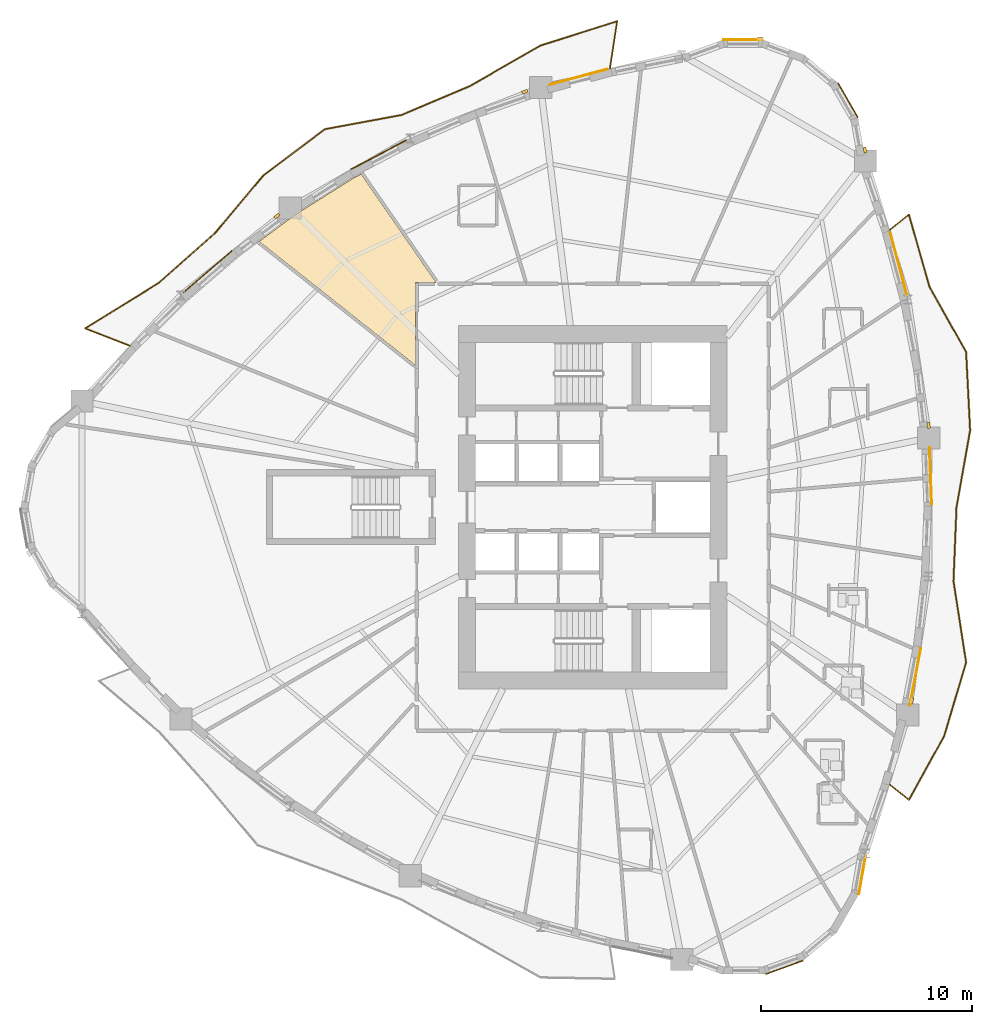
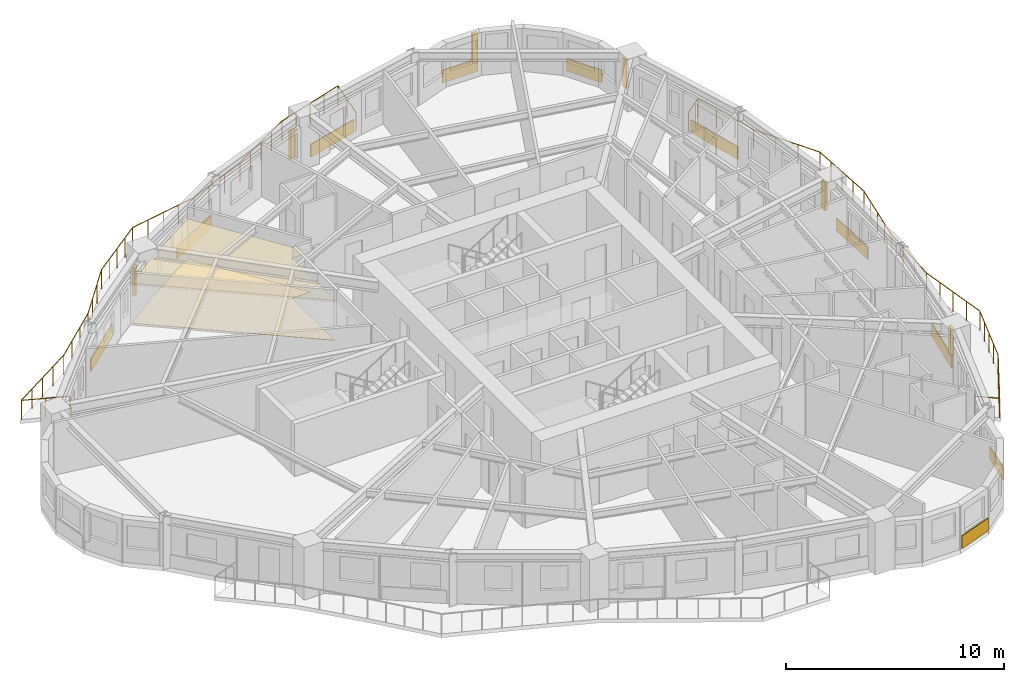
# One storey, part 12 of 13: 12 coverings, 6 shading devices, 2 railings.
"""IFC4 building model written with IfcOpenShell, lengths in metres."""

from ifc_helpers import new_model, si_unit, direction, frame, origin, origin_2d, place, context, subcontext, project, spatial, polyline, rectangle, circle, outline, extrude, source, transform, mapped, material, layer, layer_set, type_object, element, save


model = new_model("IFC4")

# Units and contexts
model_context = context("Model", 3, precision=1e-05, world=origin(), true_north=direction((0.0, 1.0)))
body_context = subcontext(model_context, "Body", "Model", "MODEL_VIEW")
ifc_project = project(units=[si_unit("LENGTHUNIT", "METRE"), si_unit("AREAUNIT", "SQUARE_METRE"), si_unit("VOLUMEUNIT", "CUBIC_METRE"), si_unit("PLANEANGLEUNIT", "RADIAN"), si_unit("MASSUNIT", "GRAM", prefix="KILO")], contexts=[model_context])

# Site, building, storey
site_placement = place(None, origin())
site = spatial("IfcSite", under=ifc_project, at=site_placement, CompositionType="ELEMENT")
building_placement = place(site_placement, origin())
building = spatial("IfcBuilding", under=site, at=building_placement, Name="Qafzar Sky-Pleat Residences", CompositionType="ELEMENT")
storey_placement = place(building_placement, frame((0.0, 0.0, 59.0)))
storey = spatial("IfcBuildingStorey", under=building, at=storey_placement, Name="L17", CompositionType="ELEMENT", Elevation=59.0)

# Coverings
ifc_material_1 = material(Name="Perforated acoustic gypsum board ceiling")
ifc_layer_1 = layer(ifc_material_1, 0.02001953125)
ifc_layer_set_1 = layer_set([ifc_layer_1], Name="Perforated acoustic gypsum board ceiling")
covering_type_1 = type_object("IfcCoveringType", Name="COV-CEIL-ACOUSTIC", PredefinedType="CEILING", material=ifc_layer_set_1)
covering_1_placement = place(storey_placement, frame((0.0, 0.0, 2.239990234375)))
element("IfcCovering", 1, at=covering_1_placement, inside=storey, type_object=covering_type_1, Name="L17 Communal Kitchen Acoustic Ceiling", PredefinedType="CEILING", context=body_context, shape_type="SweptSolid", body=[
    extrude(outline(polyline([(19.01171875, 41.56787109375), (19.388427734375, 41.7666015625), (22.92919921875, 36.639892578125), (21.9599609375, 36.639892578125), (21.9599609375, 32.721435546875), (14.5625, 38.580078125), (16.260986328125, 39.837158203125), (19.01171875, 41.56787109375)])), origin(), (0.0, 0.0, 1.0), 0.02001953125),
])
ifc_material_2 = material(Name="Honed porcelain and Riyadh stone tile flooring", Category="masonry")
ifc_layer_2 = layer(ifc_material_2, 0.02001953125)
ifc_layer_set_2 = layer_set([ifc_layer_2], Name="Honed porcelain and Riyadh stone tile flooring")
covering_type_2 = type_object("IfcCoveringType", Name="COV-FLR-PORCELAIN", PredefinedType="FLOORING", material=ifc_layer_set_2)
covering_2_placement = place(storey_placement, origin())
element("IfcCovering", 2, at=covering_2_placement, inside=storey, type_object=covering_type_2, Name="L17 Communal Kitchen Honed Stone Flooring", PredefinedType="FLOORING", context=body_context, shape_type="SweptSolid", body=[
    extrude(outline(polyline([(19.01171875, 41.56787109375), (19.388427734375, 41.7666015625), (22.92919921875, 36.639892578125), (21.9599609375, 36.639892578125), (21.9599609375, 32.721435546875), (14.5625, 38.580078125), (16.260986328125, 39.837158203125), (19.01171875, 41.56787109375)])), origin(), (0.0, 0.0, 1.0), 0.02001953125),
])

# Shading devices
ifc_material_3 = material(Name="Honed Riyadh limestone solar fin", Category="masonry")
ifc_layer_3 = layer(ifc_material_3, 0.139892578125)
ifc_layer_set_3 = layer_set([ifc_layer_3], Name="Honed Riyadh limestone solar fin")
shading_device_type = type_object("IfcShadingDeviceType", Name="SHD-FIN-STONE", PredefinedType="SHUTTER", material=ifc_layer_set_3)
shared_shape_1 = source(origin(), body_context, "Body", "SweptSolid", [
    extrude(rectangle(XDim=0.139892578125, YDim=0.280029296875, at=origin_2d()), origin(), (0.0, 0.0, 1.0), 1.60009765625),
])
for number, where, z_axis, x_axis, name in (
    (3, (45.45068359375, 16.84619140625, 0.599853515625), (0.0, 0.0, 1.0), (0.982424506662, -0.186660356554, 0.0), "L17 Limestone Solar Fin 25"),
    (4, (46.24951171875, 29.873779296875, 0.599853515625), (0.0, 0.0, 1.0), (0.993563996012, 0.113272175877, 0.0), "L17 Limestone Solar Fin 29"),
    (5, (43.23681640625, 42.9091796875, 0.599853515625), (0.0, 0.0, 1.0), (0.984806040716, 0.173657888303, 0.0), "L17 Limestone Solar Fin 33"),
    (6, (38.267578125, 48.16650390625, 0.599853515625), (0.0, 0.0, 1.0), (0.0, 1.0, 0.0), "L17 Limestone Solar Fin 37"),
    (7, (27.13330078125, 45.665771484375, 0.599853515625), (0.0, 0.0, 1.0), (-0.329566646174, 0.944132313677, 0.0), "L17 Limestone Solar Fin 41"),
    (8, (15.4072265625, 39.78369140625, 0.599853515625), (0.0, 0.0, 1.0), (-0.594881001048, 0.803813781042, 0.0), "L17 Limestone Solar Fin 45"),
):
    element("IfcShadingDevice", number, at=place(storey_placement, frame(where, z_axis=z_axis, x_axis=x_axis)), inside=storey, type_object=shading_device_type, Name=name, PredefinedType="SHUTTER", context=body_context, shape_type="MappedRepresentation", body=[
        mapped(shared_shape_1, transform((0.0, 0.0, 0.0), x_axis=(1.0, 0.0, 0.0), y_axis=(0.0, 1.0, 0.0), z_axis=(0.0, 0.0, 1.0), scale=1.0)),
    ])

# Coverings
ifc_material_4 = material(Name="Honed Riyadh Tuwaiq limestone cladding", Category="masonry")
ifc_layer_4 = layer(ifc_material_4, 0.044921875)
ifc_layer_set_4 = layer_set([ifc_layer_4], Name="Honed Riyadh Tuwaiq limestone cladding")
covering_type_3 = type_object("IfcCoveringType", Name="COV-CLAD-STONE", PredefinedType="CLADDING", material=ifc_layer_set_4)
shared_shape_2 = source(origin(), body_context, "Body", "SweptSolid", [
    extrude(rectangle(XDim=1.88134765625, YDim=0.044921875, at=origin_2d()), origin(), (0.0, 0.0, 1.0), 0.719970703125),
])
for number, where, z_axis, x_axis, name in (
    (9, (42.42822265625, 45.25634765625, 0.02001953125), (0.0, 0.0, 1.0), (-0.499972303345, 0.866041393865, 0.0), "L17 Riyadh Limestone Spandrel Cladding 34"),
    (10, (37.46240234375, 48.123291015625, 0.02001953125), (0.0, 0.0, 1.0), (-1.0, 0.0, 0.0), "L17 Riyadh Limestone Spandrel Cladding 37"),
):
    element("IfcCovering", number, at=place(storey_placement, frame(where, z_axis=z_axis, x_axis=x_axis)), inside=storey, type_object=covering_type_3, Name=name, PredefinedType="CLADDING", context=body_context, shape_type="MappedRepresentation", body=[
        mapped(shared_shape_2, transform((0.0, 0.0, 0.0), x_axis=(1.0, 0.0, 0.0), y_axis=(0.0, 1.0, 0.0), z_axis=(0.0, 0.0, 1.0), scale=1.0)),
    ])
shared_shape_3 = source(origin(), body_context, "Body", "SweptSolid", [
    extrude(rectangle(XDim=1.8291015625, YDim=0.044921875, at=origin_2d()), origin(), (0.0, 0.0, 1.0), 0.719970703125),
])
covering_3_placement = place(storey_placement, frame((43.104248046875, 8.586181640625, 0.02001953125), z_axis=(0.0, 0.0, 1.0), x_axis=(0.17364778674, 0.984807821943, 0.0)))
element("IfcCovering", 11, at=covering_3_placement, inside=storey, type_object=covering_type_3, Name="L17 Riyadh Limestone Spandrel Cladding 22", PredefinedType="CLADDING", context=body_context, shape_type="MappedRepresentation", body=[
    mapped(shared_shape_3, transform((0.0, 0.0, 0.0), x_axis=(1.0, 0.0, 0.0), y_axis=(0.0, 1.0, 0.0), z_axis=(0.0, 0.0, 1.0), scale=1.0)),
])
shared_shape_4 = source(origin(), body_context, "Body", "SweptSolid", [
    extrude(rectangle(XDim=1.881103515625, YDim=0.044921875, at=origin_2d()), origin(), (0.0, 0.0, 1.0), 0.719970703125),
])
covering_4_placement = place(storey_placement, frame((39.423583984375, 4.222412109375, 0.02001953125), z_axis=(0.0, 0.0, 1.0), x_axis=(0.939715179222, 0.34195815817, 0.0)))
element("IfcCovering", 12, at=covering_4_placement, inside=storey, type_object=covering_type_3, Name="L17 Riyadh Limestone Spandrel Cladding 19", PredefinedType="CLADDING", context=body_context, shape_type="MappedRepresentation", body=[
    mapped(shared_shape_4, transform((0.0, 0.0, 0.0), x_axis=(1.0, 0.0, 0.0), y_axis=(0.0, 1.0, 0.0), z_axis=(0.0, 0.0, 1.0), scale=1.0)),
])

# Railings
ifc_material_5 = material(Name="Laminated glass and bronze steel balustrade", Category="steel")
railing_type = type_object("IfcRailingType", Name="RAIL-BAL-1100", PredefinedType="BALUSTRADE", material=ifc_material_5)
shared_shape_5 = source(origin(), body_context, "Body", "SweptSolid", [
    extrude(circle(Radius=0.02392578125, at=origin_2d()), frame((0.0, 0.0, 1.076171875), z_axis=(0.78082836269, -0.624745602641, 0.0), x_axis=(0.624745602641, 0.78082836269, 0.0)), (0.0, 0.0, 1.0), 1.177734375),
    extrude(circle(Radius=0.02392578125, at=origin_2d()), frame((0.919677734375, -0.73583984375, 1.076171875), z_axis=(0.482445951113, 0.87592574129, 0.0), x_axis=(-0.87592574129, 0.482445951113, 0.0)), (0.0, 0.0, 1.0), 3.4658203125),
    extrude(circle(Radius=0.02392578125, at=origin_2d()), frame((2.591796875, 2.300048828125, 1.076171875), z_axis=(0.28574875446, 0.958304570231, 0.0), x_axis=(-0.958304570231, 0.28574875446, 0.0)), (0.0, 0.0, 1.0), 3.628662109375),
    extrude(circle(Radius=0.02392578125, at=origin_2d()), frame((3.628662109375, 5.77734375, 1.076171875), z_axis=(-0.153444838689, 0.988157214961, 0.0), x_axis=(-0.988157214961, -0.153444838689, 0.0)), (0.0, 0.0, 1.0), 3.899658203125),
    extrude(circle(Radius=0.02392578125, at=origin_2d()), frame((3.0302734375, 9.630859375, 1.076171875), z_axis=(0.041048799191, 0.999157142838, 0.0), x_axis=(-0.999157142838, 0.041048799191, 0.0)), (0.0, 0.0, 1.0), 3.4912109375),
    extrude(circle(Radius=0.02392578125, at=origin_2d()), frame((3.173583984375, 13.119140625, 1.076171875), z_axis=(0.174775106939, 0.984608380014, 0.0), x_axis=(-0.984608380014, 0.174775106939, 0.0)), (0.0, 0.0, 1.0), 3.686279296875),
    extrude(circle(Radius=0.02392578125, at=origin_2d()), frame((3.81787109375, 16.748779296875, 1.076171875), z_axis=(-0.050903995541, 0.998703551229, 0.0), x_axis=(-0.998703551229, -0.050903995541, 0.0)), (0.0, 0.0, 1.0), 3.717041015625),
    extrude(circle(Radius=0.02392578125, at=origin_2d()), frame((3.628662109375, 20.4609375, 1.076171875), z_axis=(-0.490064464724, 0.871686193773, 0.0), x_axis=(-0.871686193773, -0.490064464724, 0.0)), (0.0, 0.0, 1.0), 3.53466796875),
    extrude(circle(Radius=0.02392578125, at=origin_2d()), frame((1.896484375, 23.5419921875, 1.076171875), z_axis=(-0.273736038503, 0.961804856104, 0.0), x_axis=(-0.961804856104, -0.273736038503, 0.0)), (0.0, 0.0, 1.0), 3.568359375),
    extrude(circle(Radius=0.02392578125, at=origin_2d()), frame((0.919677734375, 26.97412109375, 1.076171875), z_axis=(-0.78082836269, -0.624745602641, 0.0), x_axis=(0.624745602641, -0.78082836269, 0.0)), (0.0, 0.0, 1.0), 1.177734375),
    extrude(circle(Radius=0.02099609375, at=origin_2d()), origin(), (0.0, 0.0, 1.0), 1.052001953125),
    extrude(circle(Radius=0.02099609375, at=origin_2d()), frame((0.919677734375, -0.73583984375, 0.0)), (0.0, 0.0, 1.0), 1.052001953125),
    extrude(circle(Radius=0.02099609375, at=origin_2d()), frame((1.47705078125, 0.276123046875, 0.0)), (0.0, 0.0, 1.0), 1.052001953125),
    extrude(circle(Radius=0.02099609375, at=origin_2d()), frame((2.034423828125, 1.2880859375, 0.0)), (0.0, 0.0, 1.0), 1.052001953125),
    extrude(circle(Radius=0.02099609375, at=origin_2d()), frame((2.591796875, 2.300048828125, 0.0)), (0.0, 0.0, 1.0), 1.052001953125),
    extrude(circle(Radius=0.02099609375, at=origin_2d()), frame((2.85107421875, 3.16943359375, 0.0)), (0.0, 0.0, 1.0), 1.052001953125),
    extrude(circle(Radius=0.02099609375, at=origin_2d()), frame((3.1103515625, 4.03857421875, 0.0)), (0.0, 0.0, 1.0), 1.052001953125),
    extrude(circle(Radius=0.02099609375, at=origin_2d()), frame((3.369384765625, 4.907958984375, 0.0)), (0.0, 0.0, 1.0), 1.052001953125),
    extrude(circle(Radius=0.02099609375, at=origin_2d()), frame((3.628662109375, 5.77734375, 0.0)), (0.0, 0.0, 1.0), 1.052001953125),
    extrude(circle(Radius=0.02099609375, at=origin_2d()), frame((3.47900390625, 6.74072265625, 0.0)), (0.0, 0.0, 1.0), 1.052001953125),
    extrude(circle(Radius=0.02099609375, at=origin_2d()), frame((3.32958984375, 7.7041015625, 0.0)), (0.0, 0.0, 1.0), 1.052001953125),
    extrude(circle(Radius=0.02099609375, at=origin_2d()), frame((3.179931640625, 8.66748046875, 0.0)), (0.0, 0.0, 1.0), 1.052001953125),
    extrude(circle(Radius=0.02099609375, at=origin_2d()), frame((3.0302734375, 9.630859375, 0.0)), (0.0, 0.0, 1.0), 1.052001953125),
    extrude(circle(Radius=0.02099609375, at=origin_2d()), frame((3.078125, 10.793701171875, 0.0)), (0.0, 0.0, 1.0), 1.052001953125),
    extrude(circle(Radius=0.02099609375, at=origin_2d()), frame((3.125732421875, 11.956298828125, 0.0)), (0.0, 0.0, 1.0), 1.052001953125),
    extrude(circle(Radius=0.02099609375, at=origin_2d()), frame((3.173583984375, 13.119140625, 0.0)), (0.0, 0.0, 1.0), 1.052001953125),
    extrude(circle(Radius=0.02099609375, at=origin_2d()), frame((3.334716796875, 14.026611328125, 0.0)), (0.0, 0.0, 1.0), 1.052001953125),
    extrude(circle(Radius=0.02099609375, at=origin_2d()), frame((3.49560546875, 14.93408203125, 0.0)), (0.0, 0.0, 1.0), 1.052001953125),
    extrude(circle(Radius=0.02099609375, at=origin_2d()), frame((3.65673828125, 15.84130859375, 0.0)), (0.0, 0.0, 1.0), 1.052001953125),
    extrude(circle(Radius=0.02099609375, at=origin_2d()), frame((3.81787109375, 16.748779296875, 0.0)), (0.0, 0.0, 1.0), 1.052001953125),
    extrude(circle(Radius=0.02099609375, at=origin_2d()), frame((3.7705078125, 17.6767578125, 0.0)), (0.0, 0.0, 1.0), 1.052001953125),
    extrude(circle(Radius=0.02099609375, at=origin_2d()), frame((3.72314453125, 18.60498046875, 0.0)), (0.0, 0.0, 1.0), 1.052001953125),
    extrude(circle(Radius=0.02099609375, at=origin_2d()), frame((3.676025390625, 19.532958984375, 0.0)), (0.0, 0.0, 1.0), 1.052001953125),
    extrude(circle(Radius=0.02099609375, at=origin_2d()), frame((3.628662109375, 20.4609375, 0.0)), (0.0, 0.0, 1.0), 1.052001953125),
    extrude(circle(Radius=0.02099609375, at=origin_2d()), frame((3.05126953125, 21.488037109375, 0.0)), (0.0, 0.0, 1.0), 1.052001953125),
    extrude(circle(Radius=0.02099609375, at=origin_2d()), frame((2.473876953125, 22.514892578125, 0.0)), (0.0, 0.0, 1.0), 1.052001953125),
    extrude(circle(Radius=0.02099609375, at=origin_2d()), frame((1.896484375, 23.5419921875, 0.0)), (0.0, 0.0, 1.0), 1.052001953125),
    extrude(circle(Radius=0.02099609375, at=origin_2d()), frame((1.57080078125, 24.68603515625, 0.0)), (0.0, 0.0, 1.0), 1.052001953125),
    extrude(circle(Radius=0.02099609375, at=origin_2d()), frame((1.245361328125, 25.830078125, 0.0)), (0.0, 0.0, 1.0), 1.052001953125),
    extrude(circle(Radius=0.02099609375, at=origin_2d()), frame((0.919677734375, 26.97412109375, 0.0)), (0.0, 0.0, 1.0), 1.052001953125),
    extrude(circle(Radius=0.02099609375, at=origin_2d()), frame((0.0, 26.23828125, 0.0)), (0.0, 0.0, 1.0), 1.052001953125),
])
railing_1_placement = place(storey_placement, frame((44.392822265625, 12.880859375, 0.0)))
element("IfcRailing", 13, at=railing_1_placement, inside=storey, type_object=railing_type, Name="L17 Pleated Balcony 1 Balustrade", PredefinedType="BALUSTRADE", context=body_context, shape_type="MappedRepresentation", body=[
    mapped(shared_shape_5, transform((0.0, 0.0, 0.0), x_axis=(1.0, 0.0, 0.0), y_axis=(0.0, 1.0, 0.0), z_axis=(0.0, 0.0, 1.0), scale=1.0)),
])
shared_shape_6 = source(origin(), body_context, "Body", "SweptSolid", [
    extrude(circle(Radius=0.02392578125, at=origin_2d()), frame((0.0, 0.0, 1.076171875), z_axis=(0.150732099633, 0.988574647733, 0.0), x_axis=(-0.988574647733, 0.150732099633, 0.0)), (0.0, 0.0, 1.0), 2.270751953125),
    extrude(circle(Radius=0.02392578125, at=origin_2d()), frame((0.34228515625, 2.244873046875, 1.076171875), z_axis=(-0.953259465773, -0.30215292637, 0.0), x_axis=(0.30215292637, -0.953259465773, 0.0)), (0.0, 0.0, 1.0), 3.80810546875),
    extrude(circle(Radius=0.02392578125, at=origin_2d()), frame((-3.287841796875, 1.09423828125, 1.076171875), z_axis=(-0.867434909389, -0.497550678799, 0.0), x_axis=(0.497550678799, -0.867434909389, 0.0)), (0.0, 0.0, 1.0), 3.853271484375),
    extrude(circle(Radius=0.02392578125, at=origin_2d()), frame((-6.63037109375, -0.822998046875, 1.076171875), z_axis=(-0.920598483559, -0.39051047626, 0.0), x_axis=(0.39051047626, -0.920598483559, 0.0)), (0.0, 0.0, 1.0), 3.50341796875),
    extrude(circle(Radius=0.02392578125, at=origin_2d()), frame((-9.855712890625, -2.191162109375, 1.076171875), z_axis=(-0.983284192251, -0.182077448548, 0.0), x_axis=(0.182077448548, -0.983284192251, 0.0)), (0.0, 0.0, 1.0), 3.70068359375),
    extrude(circle(Radius=0.02392578125, at=origin_2d()), frame((-13.49462890625, -2.864990234375, 1.076171875), z_axis=(-0.798161897341, -0.602443014427, 0.0), x_axis=(0.602443014427, -0.798161897341, 0.0)), (0.0, 0.0, 1.0), 3.657470703125),
    extrude(circle(Radius=0.02392578125, at=origin_2d()), frame((-16.413818359375, -5.068359375, 1.076171875), z_axis=(-0.642575797394, -0.766222124846, 0.0), x_axis=(0.766222124846, -0.642575797394, 0.0)), (0.0, 0.0, 1.0), 3.550048828125),
    extrude(circle(Radius=0.02392578125, at=origin_2d()), frame((-18.695068359375, -7.78857421875, 1.076171875), z_axis=(-0.748473372948, -0.663164843752, 0.0), x_axis=(0.663164843752, -0.748473372948, 0.0)), (0.0, 0.0, 1.0), 3.528564453125),
    extrude(circle(Radius=0.02392578125, at=origin_2d()), frame((-21.336181640625, -10.128662109375, 1.076171875), z_axis=(-0.850626396128, -0.525770609877, 0.0), x_axis=(0.525770609877, -0.850626396128, 0.0)), (0.0, 0.0, 1.0), 4.116943359375),
    extrude(circle(Radius=0.02392578125, at=origin_2d()), frame((-24.838134765625, -12.293212890625, 1.076171875), z_axis=(0.931493217147, -0.363758692555, 0.0), x_axis=(0.363758692555, 0.931493217147, 0.0)), (0.0, 0.0, 1.0), 2.2705078125),
    extrude(circle(Radius=0.02099609375, at=origin_2d()), origin(), (0.0, 0.0, 1.0), 1.052001953125),
    extrude(circle(Radius=0.02099609375, at=origin_2d()), frame((0.171142578125, 1.12255859375, 0.0)), (0.0, 0.0, 1.0), 1.052001953125),
    extrude(circle(Radius=0.02099609375, at=origin_2d()), frame((0.34228515625, 2.244873046875, 0.0)), (0.0, 0.0, 1.0), 1.052001953125),
    extrude(circle(Radius=0.02099609375, at=origin_2d()), frame((-0.565185546875, 1.957275390625, 0.0)), (0.0, 0.0, 1.0), 1.052001953125),
    extrude(circle(Radius=0.02099609375, at=origin_2d()), frame((-1.47265625, 1.66943359375, 0.0)), (0.0, 0.0, 1.0), 1.052001953125),
    extrude(circle(Radius=0.02099609375, at=origin_2d()), frame((-2.38037109375, 1.3818359375, 0.0)), (0.0, 0.0, 1.0), 1.052001953125),
    extrude(circle(Radius=0.02099609375, at=origin_2d()), frame((-3.287841796875, 1.09423828125, 0.0)), (0.0, 0.0, 1.0), 1.052001953125),
    extrude(circle(Radius=0.02099609375, at=origin_2d()), frame((-4.12353515625, 0.614990234375, 0.0)), (0.0, 0.0, 1.0), 1.052001953125),
    extrude(circle(Radius=0.02099609375, at=origin_2d()), frame((-4.958984375, 0.1357421875, 0.0)), (0.0, 0.0, 1.0), 1.052001953125),
    extrude(circle(Radius=0.02099609375, at=origin_2d()), frame((-5.794677734375, -0.34375, 0.0)), (0.0, 0.0, 1.0), 1.052001953125),
    extrude(circle(Radius=0.02099609375, at=origin_2d()), frame((-6.63037109375, -0.822998046875, 0.0)), (0.0, 0.0, 1.0), 1.052001953125),
    extrude(circle(Radius=0.02099609375, at=origin_2d()), frame((-7.70556640625, -1.279052734375, 0.0)), (0.0, 0.0, 1.0), 1.052001953125),
    extrude(circle(Radius=0.02099609375, at=origin_2d()), frame((-8.780517578125, -1.735107421875, 0.0)), (0.0, 0.0, 1.0), 1.052001953125),
    extrude(circle(Radius=0.02099609375, at=origin_2d()), frame((-9.855712890625, -2.191162109375, 0.0)), (0.0, 0.0, 1.0), 1.052001953125),
    extrude(circle(Radius=0.02099609375, at=origin_2d()), frame((-10.765380859375, -2.359619140625, 0.0)), (0.0, 0.0, 1.0), 1.052001953125),
    extrude(circle(Radius=0.02099609375, at=origin_2d()), frame((-11.67529296875, -2.528076171875, 0.0)), (0.0, 0.0, 1.0), 1.052001953125),
    extrude(circle(Radius=0.02099609375, at=origin_2d()), frame((-12.5849609375, -2.696533203125, 0.0)), (0.0, 0.0, 1.0), 1.052001953125),
    extrude(circle(Radius=0.02099609375, at=origin_2d()), frame((-13.49462890625, -2.864990234375, 0.0)), (0.0, 0.0, 1.0), 1.052001953125),
    extrude(circle(Radius=0.02099609375, at=origin_2d()), frame((-14.224365234375, -3.415771484375, 0.0)), (0.0, 0.0, 1.0), 1.052001953125),
    extrude(circle(Radius=0.02099609375, at=origin_2d()), frame((-14.9541015625, -3.966796875, 0.0)), (0.0, 0.0, 1.0), 1.052001953125),
    extrude(circle(Radius=0.02099609375, at=origin_2d()), frame((-15.68408203125, -4.517578125, 0.0)), (0.0, 0.0, 1.0), 1.052001953125),
    extrude(circle(Radius=0.02099609375, at=origin_2d()), frame((-16.413818359375, -5.068359375, 0.0)), (0.0, 0.0, 1.0), 1.052001953125),
    extrude(circle(Radius=0.02099609375, at=origin_2d()), frame((-17.17431640625, -5.97509765625, 0.0)), (0.0, 0.0, 1.0), 1.052001953125),
    extrude(circle(Radius=0.02099609375, at=origin_2d()), frame((-17.9345703125, -6.8818359375, 0.0)), (0.0, 0.0, 1.0), 1.052001953125),
    extrude(circle(Radius=0.02099609375, at=origin_2d()), frame((-18.695068359375, -7.78857421875, 0.0)), (0.0, 0.0, 1.0), 1.052001953125),
    extrude(circle(Radius=0.02099609375, at=origin_2d()), frame((-19.575439453125, -8.568603515625, 0.0)), (0.0, 0.0, 1.0), 1.052001953125),
    extrude(circle(Radius=0.02099609375, at=origin_2d()), frame((-20.455810546875, -9.3486328125, 0.0)), (0.0, 0.0, 1.0), 1.052001953125),
    extrude(circle(Radius=0.02099609375, at=origin_2d()), frame((-21.336181640625, -10.128662109375, 0.0)), (0.0, 0.0, 1.0), 1.052001953125),
    extrude(circle(Radius=0.02099609375, at=origin_2d()), frame((-22.211669921875, -10.669921875, 0.0)), (0.0, 0.0, 1.0), 1.052001953125),
    extrude(circle(Radius=0.02099609375, at=origin_2d()), frame((-23.087158203125, -11.2109375, 0.0)), (0.0, 0.0, 1.0), 1.052001953125),
    extrude(circle(Radius=0.02099609375, at=origin_2d()), frame((-23.962646484375, -11.751953125, 0.0)), (0.0, 0.0, 1.0), 1.052001953125),
    extrude(circle(Radius=0.02099609375, at=origin_2d()), frame((-24.838134765625, -12.293212890625, 0.0)), (0.0, 0.0, 1.0), 1.052001953125),
    extrude(circle(Radius=0.02099609375, at=origin_2d()), frame((-23.78076171875, -12.7060546875, 0.0)), (0.0, 0.0, 1.0), 1.052001953125),
    extrude(circle(Radius=0.02099609375, at=origin_2d()), frame((-22.72314453125, -13.119140625, 0.0)), (0.0, 0.0, 1.0), 1.052001953125),
])
railing_2_placement = place(storey_placement, frame((31.1650390625, 46.75634765625, 0.0)))
element("IfcRailing", 14, at=railing_2_placement, inside=storey, type_object=railing_type, Name="L17 Pleated Balcony 2 Balustrade", PredefinedType="BALUSTRADE", context=body_context, shape_type="MappedRepresentation", body=[
    mapped(shared_shape_6, transform((0.0, 0.0, 0.0), x_axis=(1.0, 0.0, 0.0), y_axis=(0.0, 1.0, 0.0), z_axis=(0.0, 0.0, 1.0), scale=1.0)),
])

# Coverings
shared_shape_7 = source(origin(), body_context, "Body", "SweptSolid", [
    extrude(rectangle(XDim=2.76708984375, YDim=0.044921875, at=origin_2d()), origin(), (0.0, 0.0, 1.0), 0.719970703125),
])
covering_5_placement = place(storey_placement, frame((45.6201171875, 17.96728515625, 0.02001953125), z_axis=(0.0, 0.0, 1.0), x_axis=(0.186662215428, 0.982424153475, 0.0)))
element("IfcCovering", 15, at=covering_5_placement, inside=storey, type_object=covering_type_3, Name="L17 Riyadh Limestone Spandrel Cladding 25", PredefinedType="CLADDING", context=body_context, shape_type="MappedRepresentation", body=[
    mapped(shared_shape_7, transform((0.0, 0.0, 0.0), x_axis=(1.0, 0.0, 0.0), y_axis=(0.0, 1.0, 0.0), z_axis=(0.0, 0.0, 1.0), scale=1.0)),
])
shared_shape_8 = source(origin(), body_context, "Body", "SweptSolid", [
    extrude(rectangle(XDim=2.71630859375, YDim=0.044921875, at=origin_2d()), origin(), (0.0, 0.0, 1.0), 0.719970703125),
])
covering_6_placement = place(storey_placement, frame((46.3427734375, 27.470947265625, 0.02001953125), z_axis=(0.0, 0.0, 1.0), x_axis=(-0.037968689793, 0.999278929326, 0.0)))
element("IfcCovering", 16, at=covering_6_placement, inside=storey, type_object=covering_type_3, Name="L17 Riyadh Limestone Spandrel Cladding 28", PredefinedType="CLADDING", context=body_context, shape_type="MappedRepresentation", body=[
    mapped(shared_shape_8, transform((0.0, 0.0, 0.0), x_axis=(1.0, 0.0, 0.0), y_axis=(0.0, 1.0, 0.0), z_axis=(0.0, 0.0, 1.0), scale=1.0)),
])
shared_shape_9 = source(origin(), body_context, "Body", "SweptSolid", [
    extrude(rectangle(XDim=3.06884765625, YDim=0.044921875, at=origin_2d()), origin(), (0.0, 0.0, 1.0), 0.719970703125),
])
covering_7_placement = place(storey_placement, frame((44.833251953125, 37.50634765625, 0.02001953125), z_axis=(0.0, 0.0, 1.0), x_axis=(-0.257074858868, 0.966391492584, 0.0)))
element("IfcCovering", 17, at=covering_7_placement, inside=storey, type_object=covering_type_3, Name="L17 Riyadh Limestone Spandrel Cladding 31", PredefinedType="CLADDING", context=body_context, shape_type="MappedRepresentation", body=[
    mapped(shared_shape_9, transform((0.0, 0.0, 0.0), x_axis=(1.0, 0.0, 0.0), y_axis=(0.0, 1.0, 0.0), z_axis=(0.0, 0.0, 1.0), scale=1.0)),
])
shared_shape_10 = source(origin(), body_context, "Body", "SweptSolid", [
    extrude(rectangle(XDim=2.81689453125, YDim=0.044921875, at=origin_2d()), origin(), (0.0, 0.0, 1.0), 0.719970703125),
])
covering_8_placement = place(storey_placement, frame((29.683349609375, 46.36767578125, 0.02001953125), z_axis=(0.0, 0.0, 1.0), x_axis=(-0.965452073914, -0.260580684195, 0.0)))
element("IfcCovering", 18, at=covering_8_placement, inside=storey, type_object=covering_type_3, Name="L17 Riyadh Limestone Spandrel Cladding 40", PredefinedType="CLADDING", context=body_context, shape_type="MappedRepresentation", body=[
    mapped(shared_shape_10, transform((0.0, 0.0, 0.0), x_axis=(1.0, 0.0, 0.0), y_axis=(0.0, 1.0, 0.0), z_axis=(0.0, 0.0, 1.0), scale=1.0)),
])
shared_shape_11 = source(origin(), body_context, "Body", "SweptSolid", [
    extrude(rectangle(XDim=2.968505859375, YDim=0.044921875, at=origin_2d()), origin(), (0.0, 0.0, 1.0), 0.719970703125),
])
covering_9_placement = place(storey_placement, frame((20.226318359375, 42.68603515625, 0.02001953125), z_axis=(0.0, 0.0, 1.0), x_axis=(-0.884388229284, -0.466752032566, 0.0)))
element("IfcCovering", 19, at=covering_9_placement, inside=storey, type_object=covering_type_3, Name="L17 Riyadh Limestone Spandrel Cladding 43", PredefinedType="CLADDING", context=body_context, shape_type="MappedRepresentation", body=[
    mapped(shared_shape_11, transform((0.0, 0.0, 0.0), x_axis=(1.0, 0.0, 0.0), y_axis=(0.0, 1.0, 0.0), z_axis=(0.0, 0.0, 1.0), scale=1.0)),
])
shared_shape_12 = source(origin(), body_context, "Body", "SweptSolid", [
    extrude(rectangle(XDim=3.01904296875, YDim=0.044921875, at=origin_2d()), origin(), (0.0, 0.0, 1.0), 0.719970703125),
])
covering_10_placement = place(storey_placement, frame((12.127197265625, 37.151611328125, 0.02001953125), z_axis=(0.0, 0.0, 1.0), x_axis=(-0.757486211269, -0.65285116201, 0.0)))
element("IfcCovering", 20, at=covering_10_placement, inside=storey, type_object=covering_type_3, Name="L17 Riyadh Limestone Spandrel Cladding 46", PredefinedType="CLADDING", context=body_context, shape_type="MappedRepresentation", body=[
    mapped(shared_shape_12, transform((0.0, 0.0, 0.0), x_axis=(1.0, 0.0, 0.0), y_axis=(0.0, 1.0, 0.0), z_axis=(0.0, 0.0, 1.0), scale=1.0)),
])

save(model, "model.ifc")
